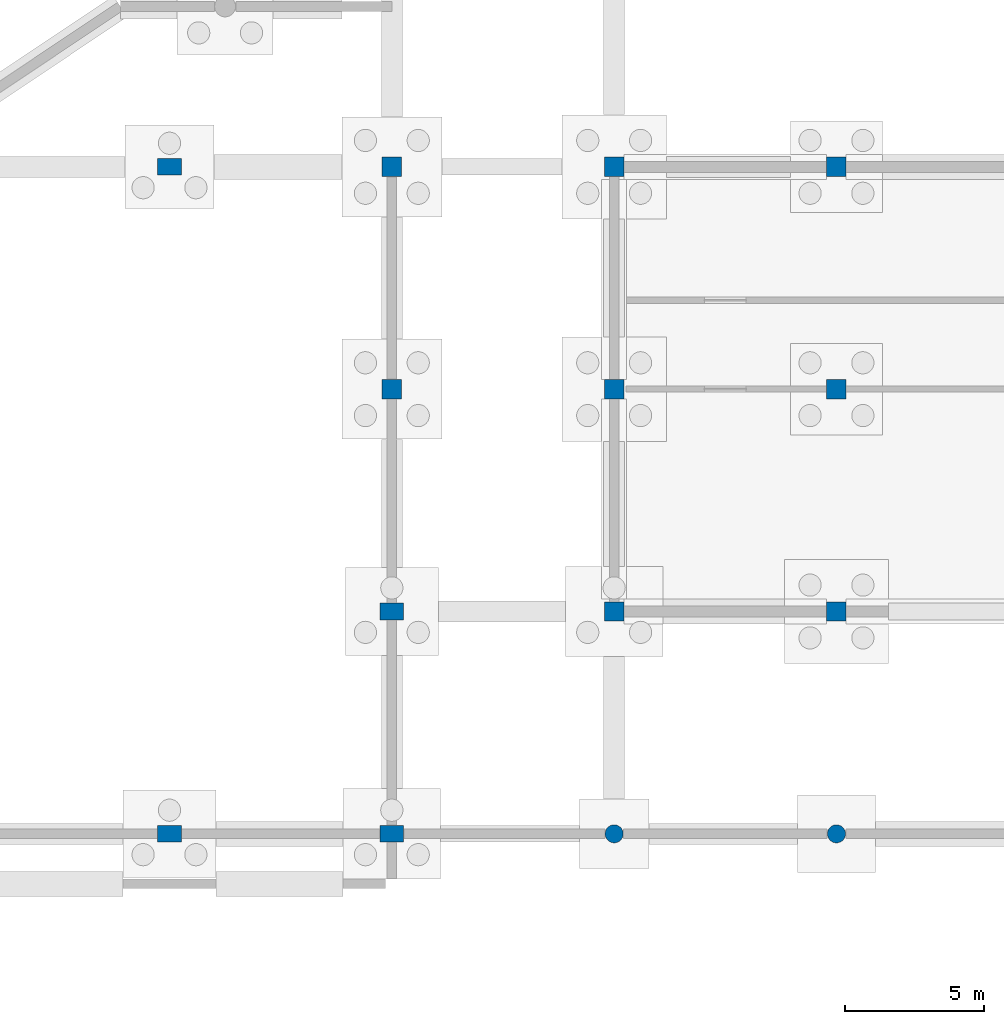
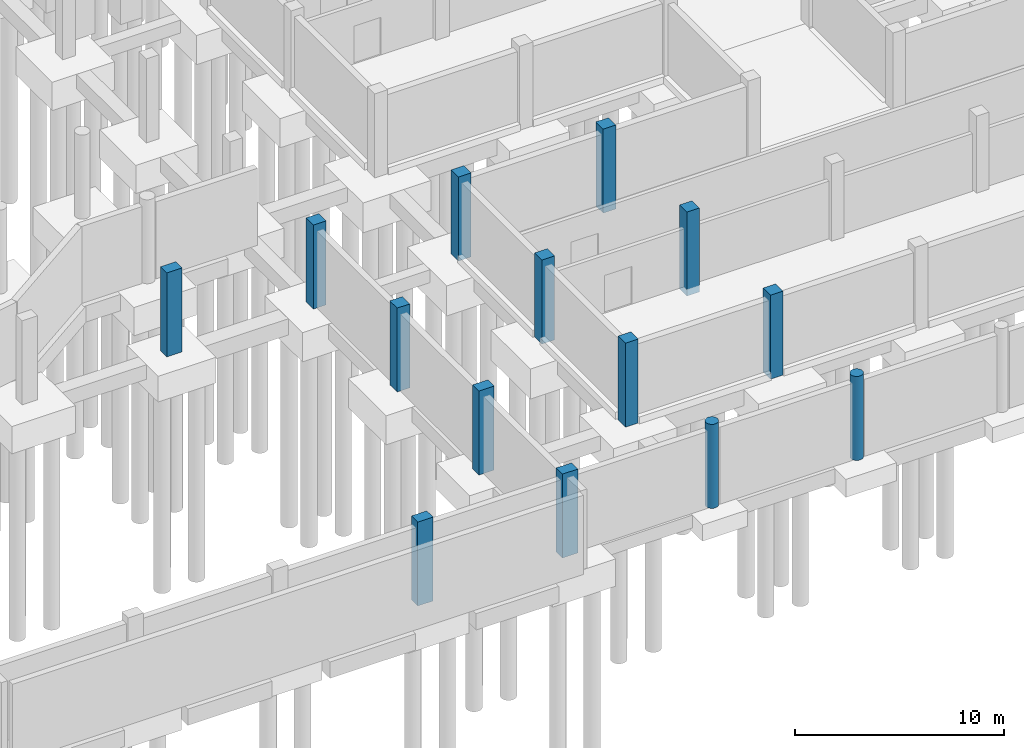
# One storey, part 19 of 51: 14 columns.
"""IFC4 building model written with IfcOpenShell, lengths in metres."""

from ifc_helpers import new_model, si_unit, direction, frame, origin, origin_2d, place, context, subcontext, project, spatial, rectangle, circle, extrude, material, material_profile, profile_set, type_object, element, save


model = new_model("IFC4")

# Units and contexts
model_context = context("Model", 3, precision=1e-05, world=origin(), true_north=direction((0.0, 1.0)))
body_context = subcontext(model_context, "Body", "Model", "MODEL_VIEW")
ifc_project = project(units=[si_unit("LENGTHUNIT", "METRE"), si_unit("AREAUNIT", "SQUARE_METRE"), si_unit("VOLUMEUNIT", "CUBIC_METRE"), si_unit("PLANEANGLEUNIT", "RADIAN"), si_unit("MASSUNIT", "GRAM", prefix="KILO")], contexts=[model_context])

# Site, building, storey
site_placement = place(None, origin())
site = spatial("IfcSite", under=ifc_project, at=site_placement, CompositionType="ELEMENT")
building_placement = place(site_placement, origin())
building = spatial("IfcBuilding", under=site, at=building_placement, Name="Jelvoka-Kovrelna Polytechnic", CompositionType="ELEMENT")
storey_placement = place(building_placement, frame((0.0, 0.0, -4.5)))
storey = spatial("IfcBuildingStorey", under=building, at=storey_placement, Name="B01", CompositionType="ELEMENT", Elevation=-4.5)

# Columns
ifc_material_1 = material(Name="Concrete C40/50", Category="concrete")
ifc_material_profile_1 = material_profile(ifc_material_1, circle(Radius=0.324951171875, at=origin_2d()), Name="RC D650")
ifc_profile_set_1 = profile_set([ifc_material_profile_1], Name="Concrete C40/50")
column_type_1 = type_object("IfcColumnType", Name="Col_Pilotis_D650", PredefinedType="PILASTER", material=ifc_profile_set_1)
for number, where, z_axis, x_axis, name in (
    (1, (56.0, 0.0, -0.405029296875), (0.0, 0.0, 1.0), (1.0, 0.0, 0.0), "B01 column 0021"),
    (2, (64.0, 0.0, -0.405029296875), (0.0, 0.0, 1.0), (1.0, 0.0, 0.0), "B01 column 0024"),
):
    element("IfcColumn", number, at=place(storey_placement, frame(where, z_axis=z_axis, x_axis=x_axis)), inside=storey, type_object=column_type_1, Name=name, PredefinedType="PILASTER", context=body_context, shape_type="SweptSolid", body=[
        extrude(circle(Radius=0.324951171875, at=origin_2d()), origin(), (0.0, 0.0, 1.0), 4.905029296875),
    ])
ifc_material_2 = material(Name="Concrete C40/50", Category="concrete")
ifc_material_profile_2 = material_profile(ifc_material_2, rectangle(XDim=0.60009765625, YDim=0.85009765625, at=origin_2d()), Name="RC 600x850")
ifc_profile_set_2 = profile_set([ifc_material_profile_2], Name="Concrete C40/50")
column_type_2 = type_object("IfcColumnType", Name="Col_RC_600x850", PredefinedType="COLUMN", material=ifc_profile_set_2)
for number, where, z_axis, x_axis, name in (
    (3, (40.0, 0.0, -0.405029296875), (0.0, 0.0, 1.0), (0.0, 1.0, 0.0), "B01 column 0013"),
    (4, (48.0, 0.0, -0.405029296875), (0.0, 0.0, 1.0), (0.0, 1.0, 0.0), "B01 column 0017"),
    (5, (48.0, 8.0, -0.405029296875), (0.0, 0.0, 1.0), (0.0, 1.0, 0.0), "B01 column 0088"),
    (6, (40.0, 24.0, -0.405029296875), (0.0, 0.0, 1.0), (0.0, 1.0, 0.0), "B01 column 0307"),
):
    element("IfcColumn", number, at=place(storey_placement, frame(where, z_axis=z_axis, x_axis=x_axis)), inside=storey, type_object=column_type_2, Name=name, PredefinedType="COLUMN", context=body_context, shape_type="SweptSolid", body=[
        extrude(rectangle(XDim=0.60009765625, YDim=0.85009765625, at=origin_2d()), origin(), (0.0, 0.0, 1.0), 4.905029296875),
    ])
ifc_material_3 = material(Name="Concrete C40/50", Category="concrete")
ifc_material_profile_3 = material_profile(ifc_material_3, rectangle(XDim=0.699951171875, YDim=0.699951171875, at=origin_2d()), Name="RC 700x700")
ifc_profile_set_3 = profile_set([ifc_material_profile_3], Name="Concrete C40/50")
column_type_3 = type_object("IfcColumnType", Name="Col_RC_700", PredefinedType="COLUMN", material=ifc_profile_set_3)
for number, where, z_axis, x_axis, name in (
    (7, (56.0, 8.0, -0.405029296875), (0.0, 0.0, 1.0), (1.0, 0.0, 0.0), "B01 column 0092"),
    (8, (64.0, 8.0, -0.405029296875), (0.0, 0.0, 1.0), (1.0, 0.0, 0.0), "B01 column 0097"),
    (9, (48.0, 16.0, -0.405029296875), (0.0, 0.0, 1.0), (1.0, 0.0, 0.0), "B01 column 0186"),
    (10, (56.0, 16.0, -0.405029296875), (0.0, 0.0, 1.0), (1.0, 0.0, 0.0), "B01 column 0192"),
    (11, (64.0, 16.0, -0.405029296875), (0.0, 0.0, 1.0), (1.0, 0.0, 0.0), "B01 column 0198"),
    (12, (48.0, 24.0, -0.405029296875), (0.0, 0.0, 1.0), (1.0, 0.0, 0.0), "B01 column 0311"),
    (13, (56.0, 24.0, -0.405029296875), (0.0, 0.0, 1.0), (1.0, 0.0, 0.0), "B01 column 0317"),
    (14, (64.0, 24.0, -0.405029296875), (0.0, 0.0, 1.0), (1.0, 0.0, 0.0), "B01 column 0323"),
):
    element("IfcColumn", number, at=place(storey_placement, frame(where, z_axis=z_axis, x_axis=x_axis)), inside=storey, type_object=column_type_3, Name=name, PredefinedType="COLUMN", context=body_context, shape_type="SweptSolid", body=[
        extrude(rectangle(XDim=0.699951171875, YDim=0.699951171875, at=origin_2d()), origin(), (0.0, 0.0, 1.0), 4.905029296875),
    ])

save(model, "model.ifc")
